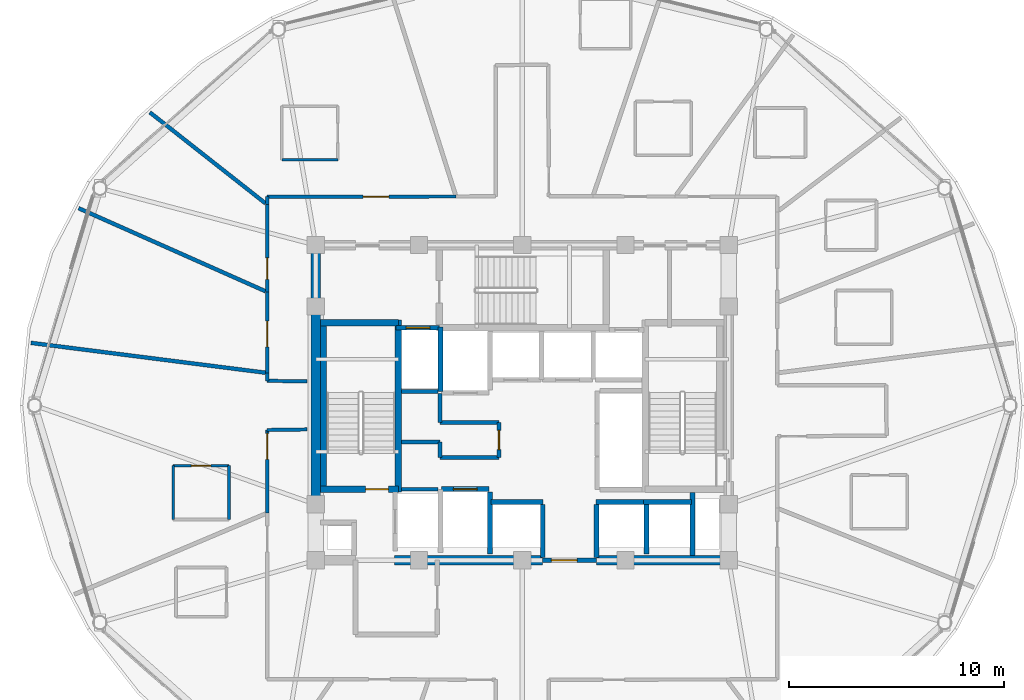
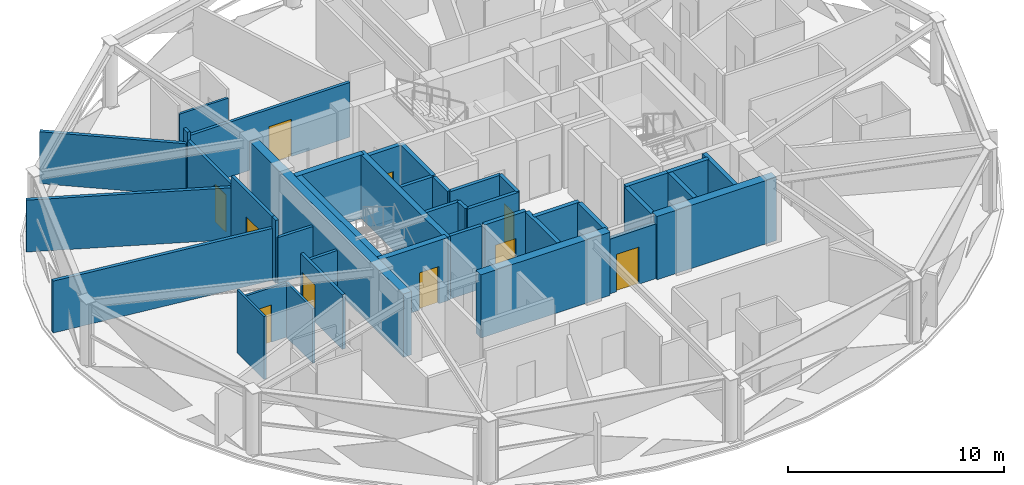
# One storey, part 23 of 30: 42 walls, 10 doors, 10 openings.
"""IFC4 building model written with IfcOpenShell, lengths in metres."""

from ifc_helpers import new_model, si_unit, direction, frame, frame_2d, origin, place, context, subcontext, project, spatial, rectangle, extrude, material, layer, layer_set, type_object, element, fill, save


model = new_model("IFC4")

# Units and contexts
model_context = context("Model", 3, precision=1e-05, world=origin(), true_north=direction((0.0, 1.0)))
body_context = subcontext(model_context, "Body", "Model", "MODEL_VIEW")
ifc_project = project(units=[si_unit("LENGTHUNIT", "METRE"), si_unit("AREAUNIT", "SQUARE_METRE"), si_unit("VOLUMEUNIT", "CUBIC_METRE"), si_unit("PLANEANGLEUNIT", "RADIAN"), si_unit("MASSUNIT", "GRAM", prefix="KILO")], contexts=[model_context])

# Site, building, storey
site_placement = place(None, origin())
site = spatial("IfcSite", under=ifc_project, at=site_placement, CompositionType="ELEMENT")
building_placement = place(site_placement, origin())
building = spatial("IfcBuilding", under=site, at=building_placement, Name="Vantalir Tower", CompositionType="ELEMENT")
storey_placement = place(building_placement, frame((0.0, 0.0, 186.14990234375)))
storey = spatial("IfcBuildingStorey", under=building, at=storey_placement, Name="L46", CompositionType="ELEMENT", Elevation=186.14990234375)

# Wall
ifc_material_1 = material(Name="Moisture-resistant en-suite partition", Category="gypsum")
ifc_layer_1 = layer(ifc_material_1, 0.125)
ifc_layer_set_1 = layer_set([ifc_layer_1], Name="Moisture-resistant en-suite partition")
wall_type_1 = type_object("IfcWallType", Name="WL-BATH-125", PredefinedType="PARTITIONING", material=ifc_layer_set_1)
wall_1_placement = place(storey_placement, frame((20.322998046875, 36.4130859375, 0.0), z_axis=(0.0, 0.0, 1.0), x_axis=(1.0, 0.0, 0.0)))
element("IfcWall", 1, at=wall_1_placement, inside=storey, type_object=wall_type_1, Name="L46 En-suite 06 South Wall", PredefinedType="PARTITIONING", context=body_context, shape_type="SweptSolid", body=[
    extrude(rectangle(XDim=2.60009765625, YDim=0.125, at=frame_2d((1.300048828125, 0.0))), origin(), (0.0, 0.0, 1.0), 3.0810546875),
])

# Wall, opening, door
wall_2_placement = place(storey_placement, frame((15.26806640625, 22.197021484375, 0.0), z_axis=(0.0, 0.0, 1.0), x_axis=(1.0, 0.0, 0.0)))
wall_2 = element("IfcWall", 2, at=wall_2_placement, inside=storey, type_object=wall_type_1, Name="L46 En-suite 09 North Wall", PredefinedType="PARTITIONING", context=body_context, shape_type="SweptSolid", body=[
    extrude(rectangle(XDim=2.599853515625, YDim=0.125, at=frame_2d((1.2998046875, 0.0))), origin(), (0.0, 0.0, 1.0), 3.0810546875),
])
opening_1_placement = place(wall_2_placement, frame((0.85009765625, 0.0, 0.0)))
opening_1 = element("IfcOpeningElement", 3, at=opening_1_placement, cuts=wall_2, Name="Opening D-WC", PredefinedType="OPENING", context=body_context, shape_type="SweptSolid", body=[
    extrude(rectangle(XDim=0.89990234375, YDim=2.10009765625, at=frame_2d((0.449951171875, 1.050048828125))), frame((0.0, 0.072509765625, 0.0), z_axis=(0.0, -1.0, 0.0), x_axis=(1.0, 0.0, 0.0)), (0.0, 0.0, 1.0), 0.14501953125),
])
ifc_material_2 = material(Name="Moisture-resistant hardwood door", Category="wood")
door_type_1 = type_object("IfcDoorType", Name="DR-ENSUITE-900", OperationType="NOTDEFINED", PredefinedType="DOOR", material=ifc_material_2)
door_1_placement = place(opening_1_placement, frame((0.89990234375, 0.0, 0.0), z_axis=(0.0, 0.0, 1.0), x_axis=(-1.0, 0.0, 0.0)))
door_1 = element("IfcDoor", 4, at=door_1_placement, inside=storey, type_object=door_type_1, Name="L46 En-suite 09 Door", OperationType="SINGLE_SWING_RIGHT", OverallHeight=2.10009765625, OverallWidth=0.89990234375, PredefinedType="DOOR", context=body_context, shape_type="SweptSolid", body=[
    extrude(rectangle(XDim=0.89990234375, YDim=2.10009765625, at=frame_2d((0.449951171875, 1.050048828125))), frame((0.0, 0.02490234375, 0.0), z_axis=(0.0, -1.0, 0.0), x_axis=(1.0, 0.0, 0.0)), (0.0, 0.0, 1.0), 0.050048828125),
])
fill(opening_1, door_1)

# Walls
wall_3_placement = place(storey_placement, frame((15.26806640625, 19.697021484375, 0.0), z_axis=(0.0, 0.0, 1.0), x_axis=(0.0, 1.0, 0.0)))
element("IfcWall", 5, at=wall_3_placement, inside=storey, type_object=wall_type_1, Name="L46 En-suite 09 West Wall", PredefinedType="PARTITIONING", context=body_context, shape_type="SweptSolid", body=[
    extrude(rectangle(XDim=2.5, YDim=0.125, at=frame_2d((1.25, 0.0))), origin(), (0.0, 0.0, 1.0), 3.550048828125),
])
wall_4_placement = place(storey_placement, frame((17.867919921875, 19.697021484375, 0.0), z_axis=(0.0, 0.0, 1.0), x_axis=(0.0, 1.0, 0.0)))
element("IfcWall", 6, at=wall_4_placement, inside=storey, type_object=wall_type_1, Name="L46 En-suite 09 East Wall", PredefinedType="PARTITIONING", context=body_context, shape_type="SweptSolid", body=[
    extrude(rectangle(XDim=2.5, YDim=0.125, at=frame_2d((1.25, 0.0))), origin(), (0.0, 0.0, 1.0), 3.0810546875),
])
ifc_material_3 = material(Name="Concrete C50/60", Category="concrete")
ifc_layer_2 = layer(ifc_material_3, 0.449951171875)
ifc_layer_set_2 = layer_set([ifc_layer_2], Name="Concrete C50/60")
wall_type_2 = type_object("IfcWallType", Name="WL-CORE-450", PredefinedType="SHEAR", material=ifc_layer_set_2)
wall_5_placement = place(storey_placement, frame((25.550048828125, 17.800048828125, 0.0), z_axis=(0.0, 0.0, 1.0), x_axis=(1.0, 0.0, 0.0)))
element("IfcWall", 7, at=wall_5_placement, inside=storey, type_object=wall_type_2, Name="L46 Core Shear Wall South-Mid", PredefinedType="SHEAR", context=body_context, shape_type="SweptSolid", body=[
    extrude(rectangle(XDim=6.89990234375, YDim=0.449951171875, at=frame_2d((3.449951171875, 0.0))), origin(), (0.0, 0.0, 1.0), 3.570068359375),
])
wall_6_placement = place(storey_placement, frame((34.949951171875, 17.800048828125, 0.0), z_axis=(0.0, 0.0, 1.0), x_axis=(1.0, 0.0, 0.0)))
element("IfcWall", 8, at=wall_6_placement, inside=storey, type_object=wall_type_2, Name="L46 Core Shear Wall South-East", PredefinedType="SHEAR", context=body_context, shape_type="SweptSolid", body=[
    extrude(rectangle(XDim=6.375, YDim=0.449951171875, at=frame_2d((3.1875, 0.0))), origin(), (0.0, 0.0, 1.0), 3.570068359375),
])
wall_7_placement = place(storey_placement, frame((21.89990234375, 18.02490234375, 0.0), z_axis=(0.0, 0.0, 1.0), x_axis=(0.0, 1.0, 0.0)))
element("IfcWall", 9, at=wall_7_placement, inside=storey, type_object=wall_type_2, Name="L46 Core Shear Wall West", PredefinedType="SHEAR", context=body_context, shape_type="SweptSolid", body=[
    extrude(rectangle(XDim=14.2001953125, YDim=0.449951171875, at=frame_2d((7.10009765625, 0.0))), origin(), (0.0, 0.0, 1.0), 3.570068359375),
])
ifc_material_4 = material(Name="Fire-rated hotel corridor acoustic partition", Category="gypsum")
ifc_layer_3 = layer(ifc_material_4, 0.159912109375)
ifc_layer_set_3 = layer_set([ifc_layer_3], Name="Fire-rated hotel corridor acoustic partition")
wall_type_3 = type_object("IfcWallType", Name="WL-CORR-160", PredefinedType="PARTITIONING", material=ifc_layer_set_3)
wall_8_placement = place(storey_placement, frame((21.4951171875, 26.116943359375, 0.0), z_axis=(0.0, 0.0, 1.0), x_axis=(-0.999908537082, 0.013524698532, 0.0)))
element("IfcWall", 10, at=wall_8_placement, inside=storey, type_object=wall_type_3, Name="L46 Corridor Partition 01", PredefinedType="PARTITIONING", context=body_context, shape_type="SweptSolid", body=[
    extrude(rectangle(XDim=1.859375, YDim=0.159912109375, at=frame_2d((0.9296875, 0.0))), origin(), (0.0, 0.0, 1.0), 2.59521484375),
])
wall_9_placement = place(storey_placement, frame((19.635986328125, 26.14208984375, 0.0), z_axis=(0.0, 0.0, 1.0), x_axis=(0.0, 1.0, 0.0)))
element("IfcWall", 11, at=wall_9_placement, inside=storey, type_object=wall_type_3, Name="L46 Corridor Partition 02", PredefinedType="PARTITIONING", context=body_context, shape_type="SweptSolid", body=[
    extrude(rectangle(XDim=0.366943359375, YDim=0.159912109375, at=frame_2d((0.18359375, 0.0))), origin(), (0.0, 0.0, 1.0), 3.550048828125),
])

# Wall, opening, door
wall_10_placement = place(storey_placement, frame((19.635986328125, 26.509033203125, 0.0), z_axis=(0.0, 0.0, 1.0), x_axis=(0.001038353649, 0.999999460911, 0.0)))
wall_10 = element("IfcWall", 12, at=wall_10_placement, inside=storey, type_object=wall_type_3, Name="L46 Corridor Partition 03", PredefinedType="PARTITIONING", context=body_context, shape_type="SweptSolid", body=[
    extrude(rectangle(XDim=3.761962890625, YDim=0.159912109375, at=frame_2d((1.880859375, 0.0))), origin(), (0.0, 0.0, 1.0), 3.550048828125),
])
opening_2_placement = place(wall_10_placement, frame((1.2060546875, 0.0, 0.0)))
opening_2 = element("IfcOpeningElement", 13, at=opening_2_placement, cuts=wall_10, Name="Opening D-STE", PredefinedType="OPENING", context=body_context, shape_type="SweptSolid", body=[
    extrude(rectangle(XDim=1.199951171875, YDim=2.10009765625, at=frame_2d((0.60009765625, 1.050048828125))), frame((0.0, 0.08984375, 0.0), z_axis=(0.0, -1.0, 0.0), x_axis=(1.0, 0.0, 0.0)), (0.0, 0.0, 1.0), 0.179931640625),
])
ifc_material_5 = material(Name="Solid-core teak veneer suite entrance door", Category="wood")
door_type_2 = type_object("IfcDoorType", Name="DR-SUITE-ENTRY-1200", OperationType="NOTDEFINED", PredefinedType="DOOR", material=ifc_material_5)
door_2_placement = place(opening_2_placement, origin())
door_2 = element("IfcDoor", 14, at=door_2_placement, inside=storey, type_object=door_type_2, Name="L46 Executive Sky Boardroom 08 Door", OperationType="SINGLE_SWING_LEFT", OverallHeight=2.10009765625, OverallWidth=1.199951171875, PredefinedType="DOOR", context=body_context, shape_type="SweptSolid", body=[
    extrude(rectangle(XDim=1.199951171875, YDim=2.10009765625, at=frame_2d((0.60009765625, 1.050048828125))), frame((0.0, 0.02490234375, 0.0), z_axis=(0.0, -1.0, 0.0), x_axis=(1.0, 0.0, 0.0)), (0.0, 0.0, 1.0), 0.050048828125),
])
fill(opening_2, door_2)

wall_11_placement = place(storey_placement, frame((19.639892578125, 30.27099609375, 0.0), z_axis=(0.0, 0.0, 1.0), x_axis=(0.001022740411, 0.999999477001, 0.0)))
wall_11 = element("IfcWall", 15, at=wall_11_placement, inside=storey, type_object=wall_type_3, Name="L46 Corridor Partition 04", PredefinedType="PARTITIONING", context=body_context, shape_type="SweptSolid", body=[
    extrude(rectangle(XDim=4.05810546875, YDim=0.159912109375, at=frame_2d((2.029052734375, 0.0))), origin(), (0.0, 0.0, 1.0), 3.0810546875),
])
opening_3_placement = place(wall_11_placement, frame((0.592041015625, 0.0, 0.0)))
opening_3 = element("IfcOpeningElement", 16, at=opening_3_placement, cuts=wall_11, Name="Opening D-GUEST", PredefinedType="OPENING", context=body_context, shape_type="SweptSolid", body=[
    extrude(rectangle(XDim=1.0, YDim=2.10009765625, at=frame_2d((0.5, 1.050048828125))), frame((0.0, 0.08984375, 0.0), z_axis=(0.0, -1.0, 0.0), x_axis=(1.0, 0.0, 0.0)), (0.0, 0.0, 1.0), 0.179931640625),
])
ifc_material_6 = material(Name="Solid-core teak veneer acoustic fire door", Category="wood")
door_type_3 = type_object("IfcDoorType", Name="DR-GUEST-ENTRY-1000", OperationType="NOTDEFINED", PredefinedType="DOOR", material=ifc_material_6)
door_3_placement = place(opening_3_placement, origin())
door_3 = element("IfcDoor", 17, at=door_3_placement, inside=storey, type_object=door_type_3, Name="L46 Executive Business Study 07 Door", OperationType="SINGLE_SWING_RIGHT", OverallHeight=2.10009765625, OverallWidth=1.0, PredefinedType="DOOR", context=body_context, shape_type="SweptSolid", body=[
    extrude(rectangle(XDim=1.0, YDim=2.10009765625, at=frame_2d((0.5, 1.050048828125))), frame((0.0, 0.02490234375, 0.0), z_axis=(0.0, -1.0, 0.0), x_axis=(1.0, 0.0, 0.0)), (0.0, 0.0, 1.0), 0.050048828125),
])
fill(opening_3, door_3)

# Wall
wall_12_placement = place(storey_placement, frame((19.64404296875, 34.3291015625, 0.0), z_axis=(0.0, 0.0, 1.0), x_axis=(0.0, 1.0, 0.0)))
element("IfcWall", 18, at=wall_12_placement, inside=storey, type_object=wall_type_3, Name="L46 Corridor Partition 05", PredefinedType="PARTITIONING", context=body_context, shape_type="SweptSolid", body=[
    extrude(rectangle(XDim=0.370849609375, YDim=0.159912109375, at=frame_2d((0.185546875, 0.0))), origin(), (0.0, 0.0, 1.0), 3.550048828125),
])

# Wall, opening, door
wall_13_placement = place(storey_placement, frame((19.64404296875, 34.699951171875, 0.0), z_axis=(0.0, 0.0, 1.0), x_axis=(0.999999071576, 0.001362661768, 0.0)))
wall_13 = element("IfcWall", 19, at=wall_13_placement, inside=storey, type_object=wall_type_3, Name="L46 Corridor Partition 06", PredefinedType="PARTITIONING", context=body_context, shape_type="SweptSolid", body=[
    extrude(rectangle(XDim=8.779052734375, YDim=0.159912109375, at=frame_2d((4.3896484375, 0.0))), origin(), (0.0, 0.0, 1.0), 3.0810546875),
])
opening_4_placement = place(wall_13_placement, frame((4.4560546875, 0.0, 0.0)))
opening_4 = element("IfcOpeningElement", 20, at=opening_4_placement, cuts=wall_13, Name="Opening D-STE", PredefinedType="OPENING", context=body_context, shape_type="SweptSolid", body=[
    extrude(rectangle(XDim=1.199951171875, YDim=2.10009765625, at=frame_2d((0.60009765625, 1.050048828125))), frame((0.0, 0.08984375, 0.0), z_axis=(0.0, -1.0, 0.0), x_axis=(1.0, 0.0, 0.0)), (0.0, 0.0, 1.0), 0.179931640625),
])
door_4_placement = place(opening_4_placement, origin())
door_4 = element("IfcDoor", 21, at=door_4_placement, inside=storey, type_object=door_type_2, Name="L46 Executive Club Hotel Suite 06 Door", OperationType="SINGLE_SWING_LEFT", OverallHeight=2.10009765625, OverallWidth=1.199951171875, PredefinedType="DOOR", context=body_context, shape_type="SweptSolid", body=[
    extrude(rectangle(XDim=1.199951171875, YDim=2.10009765625, at=frame_2d((0.60009765625, 1.050048828125))), frame((0.0, 0.02490234375, 0.0), z_axis=(0.0, -1.0, 0.0), x_axis=(1.0, 0.0, 0.0)), (0.0, 0.0, 1.0), 0.050048828125),
])
fill(opening_4, door_4)

wall_14_placement = place(storey_placement, frame((19.636962890625, 19.992919921875, 0.0), z_axis=(0.0, 0.0, 1.0), x_axis=(-0.000505848813, 0.999999872058, 0.0)))
wall_14 = element("IfcWall", 22, at=wall_14_placement, inside=storey, type_object=wall_type_3, Name="L46 Corridor Partition 33", PredefinedType="PARTITIONING", context=body_context, shape_type="SweptSolid", body=[
    extrude(rectangle(XDim=3.861083984375, YDim=0.159912109375, at=frame_2d((1.9306640625, 0.0))), origin(), (0.0, 0.0, 1.0), 3.0810546875),
])
opening_5_placement = place(wall_14_placement, frame((2.5009765625, 0.0, 0.0)))
opening_5 = element("IfcOpeningElement", 23, at=opening_5_placement, cuts=wall_14, Name="Opening D-STE", PredefinedType="OPENING", context=body_context, shape_type="SweptSolid", body=[
    extrude(rectangle(XDim=1.199951171875, YDim=2.10009765625, at=frame_2d((0.60009765625, 1.050048828125))), frame((0.0, 0.08984375, 0.0), z_axis=(0.0, -1.0, 0.0), x_axis=(1.0, 0.0, 0.0)), (0.0, 0.0, 1.0), 0.179931640625),
])
door_5_placement = place(opening_5_placement, origin())
door_5 = element("IfcDoor", 24, at=door_5_placement, inside=storey, type_object=door_type_2, Name="L46 Executive Club Hotel Suite 09 Door", OperationType="SINGLE_SWING_RIGHT", OverallHeight=2.10009765625, OverallWidth=1.199951171875, PredefinedType="DOOR", context=body_context, shape_type="SweptSolid", body=[
    extrude(rectangle(XDim=1.199951171875, YDim=2.10009765625, at=frame_2d((0.60009765625, 1.050048828125))), frame((0.0, 0.02490234375, 0.0), z_axis=(0.0, -1.0, 0.0), x_axis=(1.0, 0.0, 0.0)), (0.0, 0.0, 1.0), 0.050048828125),
])
fill(opening_5, door_5)

# Walls
wall_15_placement = place(storey_placement, frame((19.635009765625, 23.85400390625, 0.0), z_axis=(0.0, 0.0, 1.0), x_axis=(0.999886107392, 0.015092125259, 0.0)))
element("IfcWall", 25, at=wall_15_placement, inside=storey, type_object=wall_type_3, Name="L46 Corridor Partition 34", PredefinedType="PARTITIONING", context=body_context, shape_type="SweptSolid", body=[
    extrude(rectangle(XDim=1.8603515625, YDim=0.159912109375, at=frame_2d((0.93017578125, 0.0))), origin(), (0.0, 0.0, 1.0), 2.59521484375),
])
ifc_material_7 = material(Name="Concrete blockwork with fireboard lining", Category="masonry")
ifc_layer_4 = layer(ifc_material_7, 0.219970703125)
ifc_layer_set_4 = layer_set([ifc_layer_4], Name="Concrete blockwork with fireboard lining")
wall_type_4 = type_object("IfcWallType", Name="WL-FFL-220", PredefinedType="PARTITIONING", material=ifc_layer_set_4)
wall_16_placement = place(storey_placement, frame((30.0, 18.080078125, 0.0), z_axis=(0.0, 0.0, 1.0), x_axis=(0.0, 1.0, 0.0)))
element("IfcWall", 26, at=wall_16_placement, inside=storey, type_object=wall_type_4, Name="L46 Service Lift SV1 East Shaft Wall", PredefinedType="PARTITIONING", context=body_context, shape_type="SweptSolid", body=[
    extrude(rectangle(XDim=2.89990234375, YDim=0.219970703125, at=frame_2d((1.449951171875, 0.0))), origin(), (0.0, 0.0, 1.0), 3.545166015625),
])
for number, where, z_axis, x_axis, name in (
    (27, (32.449951171875, 17.919921875, 0.0), (0.0, 0.0, 1.0), (0.0, 1.0, 0.0), "L46 Shuttle Lift PL-X1 East Shaft Cheek"),
    (28, (34.949951171875, 17.919921875, 0.0), (0.0, 0.0, 1.0), (0.0, 1.0, 0.0), "L46 Shuttle Lift PL-X3 West Shaft Cheek"),
):
    element("IfcWall", number, at=place(storey_placement, frame(where, z_axis=z_axis, x_axis=x_axis)), inside=storey, type_object=wall_type_4, Name=name, PredefinedType="PARTITIONING", context=body_context, shape_type="SweptSolid", body=[
        extrude(rectangle(XDim=2.469970703125, YDim=0.219970703125, at=frame_2d((1.23486328125, 0.0))), origin(), (0.0, 0.0, 1.0), 3.545166015625),
    ])
wall_17_placement = place(storey_placement, frame((37.27490234375, 18.080078125, 0.0), z_axis=(0.0, 0.0, 1.0), x_axis=(0.0, 1.0, 0.0)))
element("IfcWall", 29, at=wall_17_placement, inside=storey, type_object=wall_type_4, Name="L46 Shuttle Lift PL-X2/X3 Shaft Divider", PredefinedType="PARTITIONING", context=body_context, shape_type="SweptSolid", body=[
    extrude(rectangle(XDim=2.309814453125, YDim=0.219970703125, at=frame_2d((1.15478515625, 0.0))), origin(), (0.0, 0.0, 1.0), 3.545166015625),
])

# Wall, opening, door
wall_18_placement = place(storey_placement, frame((32.449951171875, 17.800048828125, 0.0), z_axis=(0.0, 0.0, 1.0), x_axis=(1.0, 0.0, 0.0)))
wall_18 = element("IfcWall", 30, at=wall_18_placement, inside=storey, type_object=wall_type_4, Name="L46 Passenger Lift Lobby South Wall", PredefinedType="PARTITIONING", context=body_context, shape_type="SweptSolid", body=[
    extrude(rectangle(XDim=2.5, YDim=0.219970703125, at=frame_2d((1.25, 0.0))), origin(), (0.0, 0.0, 1.0), 3.0810546875),
])
opening_6_placement = place(wall_18_placement, frame((0.39990234375, 0.0, 0.0)))
opening_6 = element("IfcOpeningElement", 31, at=opening_6_placement, cuts=wall_18, Name="Opening D-STE", PredefinedType="OPENING", context=body_context, shape_type="SweptSolid", body=[
    extrude(rectangle(XDim=1.199951171875, YDim=2.10009765625, at=frame_2d((0.60009765625, 1.050048828125))), frame((0.0, 0.119873046875, 0.0), z_axis=(0.0, -1.0, 0.0), x_axis=(1.0, 0.0, 0.0)), (0.0, 0.0, 1.0), 0.239990234375),
])
door_6_placement = place(opening_6_placement, origin())
door_6 = element("IfcDoor", 32, at=door_6_placement, inside=storey, type_object=door_type_2, Name="L46 Passenger Lift Lobby Concourse Door", OperationType="SINGLE_SWING_LEFT", OverallHeight=2.10009765625, OverallWidth=1.199951171875, PredefinedType="DOOR", context=body_context, shape_type="SweptSolid", body=[
    extrude(rectangle(XDim=1.199951171875, YDim=2.10009765625, at=frame_2d((0.60009765625, 1.050048828125))), frame((0.0, 0.02490234375, 0.0), z_axis=(0.0, -1.0, 0.0), x_axis=(1.0, 0.0, 0.0)), (0.0, 0.0, 1.0), 0.050048828125),
])
fill(opening_6, door_6)

# Wall
wall_19_placement = place(storey_placement, frame((39.419921875, 18.02490234375, 0.0), z_axis=(0.0, 0.0, 1.0), x_axis=(0.0, 1.0, 0.0)))
element("IfcWall", 33, at=wall_19_placement, inside=storey, type_object=wall_type_4, Name="L46 East MEP Riser Wall W", PredefinedType="PARTITIONING", context=body_context, shape_type="SweptSolid", body=[
    extrude(rectangle(XDim=2.925048828125, YDim=0.219970703125, at=frame_2d((1.46240234375, 0.0))), origin(), (0.0, 0.0, 1.0), 3.550048828125),
])

# Wall, opening, door
wall_20_placement = place(storey_placement, frame((25.639892578125, 28.610107421875, 0.0), z_axis=(0.0, 0.0, 1.0), x_axis=(1.0, 0.0, 0.0)))
wall_20 = element("IfcWall", 34, at=wall_20_placement, inside=storey, type_object=wall_type_4, Name="L46 Lift FL2 Shaft Front Wall", PredefinedType="PARTITIONING", context=body_context, shape_type="SweptSolid", body=[
    extrude(rectangle(XDim=2.02001953125, YDim=0.219970703125, at=frame_2d((1.010009765625, 0.0))), origin(), (0.0, 0.0, 1.0), 3.550048828125),
])
opening_7_placement = place(wall_20_placement, frame((0.4599609375, 0.0, 0.0)))
opening_7 = element("IfcOpeningElement", 35, at=opening_7_placement, cuts=wall_20, Name="Opening LD-FL2", PredefinedType="OPENING", context=body_context, shape_type="SweptSolid", body=[
    extrude(rectangle(XDim=1.10009765625, YDim=2.199951171875, at=frame_2d((0.550048828125, 1.10009765625))), frame((0.0, 0.119873046875, 0.0), z_axis=(0.0, -1.0, 0.0), x_axis=(1.0, 0.0, 0.0)), (0.0, 0.0, 1.0), 0.239990234375),
])
ifc_material_8 = material(Name="Brushed stainless-steel sliding lift landing door", Category="steel")
door_type_4 = type_object("IfcDoorType", Name="DR-LIFT-LANDING-1100", OperationType="DOUBLE_DOOR_SLIDING", PredefinedType="DOOR", material=ifc_material_8)
door_7_placement = place(opening_7_placement, origin())
door_7 = element("IfcDoor", 36, at=door_7_placement, inside=storey, type_object=door_type_4, Name="L46 Lift Landing Door FL2", OperationType="DOUBLE_DOOR_SLIDING", OverallHeight=2.199951171875, OverallWidth=1.10009765625, PredefinedType="DOOR", context=body_context, shape_type="SweptSolid", body=[
    extrude(rectangle(XDim=1.10009765625, YDim=2.199951171875, at=frame_2d((0.550048828125, 1.10009765625))), frame((0.0, 0.02490234375, 0.0), z_axis=(0.0, -1.0, 0.0), x_axis=(1.0, 0.0, 0.0)), (0.0, 0.0, 1.0), 0.050048828125),
])
fill(opening_7, door_7)

wall_21_placement = place(storey_placement, frame((27.739990234375, 21.110107421875, 0.0), z_axis=(0.0, 0.0, 1.0), x_axis=(1.0, 0.0, 0.0)))
wall_21 = element("IfcWall", 37, at=wall_21_placement, inside=storey, type_object=wall_type_4, Name="L46 Lift SV1 Shaft Front Wall", PredefinedType="PARTITIONING", context=body_context, shape_type="SweptSolid", body=[
    extrude(rectangle(XDim=2.219970703125, YDim=0.219970703125, at=frame_2d((1.10986328125, 0.0))), origin(), (0.0, 0.0, 1.0), 3.550048828125),
])
opening_8_placement = place(wall_21_placement, frame((0.56005859375, 0.0, 0.0)))
opening_8 = element("IfcOpeningElement", 38, at=opening_8_placement, cuts=wall_21, Name="Opening LD-SV1", PredefinedType="OPENING", context=body_context, shape_type="SweptSolid", body=[
    extrude(rectangle(XDim=1.10009765625, YDim=2.199951171875, at=frame_2d((0.550048828125, 1.10009765625))), frame((0.0, 0.119873046875, 0.0), z_axis=(0.0, -1.0, 0.0), x_axis=(1.0, 0.0, 0.0)), (0.0, 0.0, 1.0), 0.239990234375),
])
door_8_placement = place(opening_8_placement, origin())
door_8 = element("IfcDoor", 39, at=door_8_placement, inside=storey, type_object=door_type_4, Name="L46 Lift Landing Door SV1", OperationType="DOUBLE_DOOR_SLIDING", OverallHeight=2.199951171875, OverallWidth=1.10009765625, PredefinedType="DOOR", context=body_context, shape_type="SweptSolid", body=[
    extrude(rectangle(XDim=1.10009765625, YDim=2.199951171875, at=frame_2d((0.550048828125, 1.10009765625))), frame((0.0, 0.02490234375, 0.0), z_axis=(0.0, -1.0, 0.0), x_axis=(1.0, 0.0, 0.0)), (0.0, 0.0, 1.0), 0.050048828125),
])
fill(opening_8, door_8)

# Walls
wall_22_placement = place(storey_placement, frame((30.0400390625, 20.510009765625, 0.0), z_axis=(0.0, 0.0, 1.0), x_axis=(1.0, 0.0, 0.0)))
element("IfcWall", 40, at=wall_22_placement, inside=storey, type_object=wall_type_4, Name="L46 Lift PL-X1 Shaft Front Wall", PredefinedType="PARTITIONING", context=body_context, shape_type="SweptSolid", body=[
    extrude(rectangle(XDim=2.419921875, YDim=0.219970703125, at=frame_2d((1.2099609375, 0.0))), origin(), (0.0, 0.0, 1.0), 3.550048828125),
])
for number, where, z_axis, x_axis, name in (
    (41, (37.139892578125, 20.510009765625, 0.0), (0.0, 0.0, 1.0), (1.0, 0.0, 0.0), "L46 Lift PL-X2 Shaft Rear Wall"),
    (42, (34.93994140625, 20.510009765625, 0.0), (0.0, 0.0, 1.0), (1.0, 0.0, 0.0), "L46 Lift PL-X3 Shaft Front Wall"),
):
    element("IfcWall", number, at=place(storey_placement, frame(where, z_axis=z_axis, x_axis=x_axis)), inside=storey, type_object=wall_type_4, Name=name, PredefinedType="PARTITIONING", context=body_context, shape_type="SweptSolid", body=[
        extrude(rectangle(XDim=2.239990234375, YDim=0.219970703125, at=frame_2d((1.1201171875, 0.0))), origin(), (0.0, 0.0, 1.0), 3.550048828125),
    ])
wall_23_placement = place(storey_placement, frame((27.699951171875, 25.64990234375, 0.0), z_axis=(0.0, 0.0, 1.0), x_axis=(0.0, 1.0, 0.0)))
element("IfcWall", 43, at=wall_23_placement, inside=storey, type_object=wall_type_4, Name="L46 Fire Lift FL2 Dividing Wall", PredefinedType="PARTITIONING", context=body_context, shape_type="SweptSolid", body=[
    extrude(rectangle(XDim=3.0, YDim=0.219970703125, at=frame_2d((1.5, 0.0))), origin(), (0.0, 0.0, 1.0), 3.550048828125),
])
ifc_material_9 = material(Name="Twin-stud acoustic fire-rated gypsum partition", Category="gypsum")
ifc_layer_5 = layer(ifc_material_9, 0.179931640625)
ifc_layer_set_5 = layer_set([ifc_layer_5], Name="Twin-stud acoustic fire-rated gypsum partition")
wall_type_5 = type_object("IfcWallType", Name="WL-GUEST-180", PredefinedType="PARTITIONING", material=ifc_layer_set_5)
for number, where, z_axis, x_axis, name in (
    (44, (25.889892578125, 21.10009765625, 0.0), (0.0, 0.0, 1.0), (1.0, 0.0, 0.0), "L46 Freed West Core South Wall"),
    (45, (25.889892578125, 25.64990234375, 0.0), (0.0, 0.0, 1.0), (1.0, 0.0, 0.0), "L46 Freed West Core North Wall"),
):
    element("IfcWall", number, at=place(storey_placement, frame(where, z_axis=z_axis, x_axis=x_axis)), inside=storey, type_object=wall_type_5, Name=name, PredefinedType="PARTITIONING", context=body_context, shape_type="SweptSolid", body=[
        extrude(rectangle(XDim=1.7001953125, YDim=0.179931640625, at=frame_2d((0.85009765625, 0.0))), origin(), (0.0, 0.0, 1.0), 3.550048828125),
    ])
wall_24_placement = place(storey_placement, frame((25.889892578125, 23.300048828125, 0.0), z_axis=(0.0, 0.0, 1.0), x_axis=(1.0, 0.0, 0.0)))
element("IfcWall", 46, at=wall_24_placement, inside=storey, type_object=wall_type_5, Name="L46 West Linen South-West Wall", PredefinedType="PARTITIONING", context=body_context, shape_type="SweptSolid", body=[
    extrude(rectangle(XDim=1.7900390625, YDim=0.179931640625, at=frame_2d((0.89501953125, 0.0))), origin(), (0.0, 0.0, 1.0), 3.550048828125),
])
wall_25_placement = place(storey_placement, frame((27.679931640625, 22.580078125, 0.0), z_axis=(0.0, 0.0, 1.0), x_axis=(0.0, 1.0, 0.0)))
element("IfcWall", 47, at=wall_25_placement, inside=storey, type_object=wall_type_5, Name="L46 West Linen Step Wall", PredefinedType="PARTITIONING", context=body_context, shape_type="SweptSolid", body=[
    extrude(rectangle(XDim=0.719970703125, YDim=0.179931640625, at=frame_2d((0.35986328125, 0.0))), origin(), (0.0, 0.0, 1.0), 3.550048828125),
])
wall_26_placement = place(storey_placement, frame((27.679931640625, 22.580078125, 0.0), z_axis=(0.0, 0.0, 1.0), x_axis=(1.0, 0.0, 0.0)))
element("IfcWall", 48, at=wall_26_placement, inside=storey, type_object=wall_type_5, Name="L46 West Linen Alcove South Wall", PredefinedType="PARTITIONING", context=body_context, shape_type="SweptSolid", body=[
    extrude(rectangle(XDim=2.739990234375, YDim=0.179931640625, at=frame_2d((1.3701171875, 0.0))), origin(), (0.0, 0.0, 1.0), 3.550048828125),
])

# Wall, opening, door
wall_27_placement = place(storey_placement, frame((30.419921875, 22.580078125, 0.0), z_axis=(0.0, 0.0, 1.0), x_axis=(0.0, 1.0, 0.0)))
wall_27 = element("IfcWall", 49, at=wall_27_placement, inside=storey, type_object=wall_type_5, Name="L46 West Linen Alcove East Wall", PredefinedType="PARTITIONING", context=body_context, shape_type="SweptSolid", body=[
    extrude(rectangle(XDim=1.619873046875, YDim=0.179931640625, at=frame_2d((0.81005859375, 0.0))), origin(), (0.0, 0.0, 1.0), 3.550048828125),
])
opening_9_placement = place(wall_27_placement, frame((0.360107421875, 0.0, 0.0)))
opening_9 = element("IfcOpeningElement", 50, at=opening_9_placement, cuts=wall_27, Name="Opening D-CR", PredefinedType="OPENING", context=body_context, shape_type="SweptSolid", body=[
    extrude(rectangle(XDim=0.89990234375, YDim=2.10009765625, at=frame_2d((0.449951171875, 1.050048828125))), frame((0.0, 0.099853515625, 0.0), z_axis=(0.0, -1.0, 0.0), x_axis=(1.0, 0.0, 0.0)), (0.0, 0.0, 1.0), 0.199951171875),
])
ifc_material_10 = material(Name="Fire-rated steel core service door", Category="steel")
door_type_5 = type_object("IfcDoorType", Name="DR-CORE-SERV-900", OperationType="NOTDEFINED", PredefinedType="DOOR", material=ifc_material_10)
door_9_placement = place(opening_9_placement, origin())
door_9 = element("IfcDoor", 51, at=door_9_placement, inside=storey, type_object=door_type_5, Name="L46 Core Linen Store Door", OperationType="SINGLE_SWING_LEFT", OverallHeight=2.10009765625, OverallWidth=0.89990234375, PredefinedType="DOOR", context=body_context, shape_type="SweptSolid", body=[
    extrude(rectangle(XDim=0.89990234375, YDim=2.10009765625, at=frame_2d((0.449951171875, 1.050048828125))), frame((0.0, 0.02490234375, 0.0), z_axis=(0.0, -1.0, 0.0), x_axis=(1.0, 0.0, 0.0)), (0.0, 0.0, 1.0), 0.050048828125),
])
fill(opening_9, door_9)

# Walls
wall_28_placement = place(storey_placement, frame((27.679931640625, 24.199951171875, 0.0), z_axis=(0.0, 0.0, 1.0), x_axis=(1.0, 0.0, 0.0)))
element("IfcWall", 52, at=wall_28_placement, inside=storey, type_object=wall_type_5, Name="L46 West Linen Alcove North Wall", PredefinedType="PARTITIONING", context=body_context, shape_type="SweptSolid", body=[
    extrude(rectangle(XDim=2.739990234375, YDim=0.179931640625, at=frame_2d((1.3701171875, 0.0))), origin(), (0.0, 0.0, 1.0), 3.550048828125),
])
wall_29_placement = place(storey_placement, frame((27.679931640625, 24.199951171875, 0.0), z_axis=(0.0, 0.0, 1.0), x_axis=(0.0, 1.0, 0.0)))
element("IfcWall", 53, at=wall_29_placement, inside=storey, type_object=wall_type_5, Name="L46 West Linen Upper East Wall", PredefinedType="PARTITIONING", context=body_context, shape_type="SweptSolid", body=[
    extrude(rectangle(XDim=1.360107421875, YDim=0.179931640625, at=frame_2d((0.68017578125, 0.0))), origin(), (0.0, 0.0, 1.0), 3.550048828125),
])
wall_30_placement = place(storey_placement, frame((19.56005859375, 34.39501953125, 0.0), z_axis=(0.0, 0.0, 1.0), x_axis=(-0.785921713445, 0.618326014603, 0.0)))
element("IfcWall", 54, at=wall_30_placement, inside=storey, type_object=wall_type_5, Name="L46 Radial Suite Partition 07", PredefinedType="PARTITIONING", context=body_context, shape_type="SweptSolid", body=[
    extrude(rectangle(XDim=6.837890625, YDim=0.179931640625, at=frame_2d((3.4189453125, 0.0))), origin(), (0.0, 0.0, 1.0), 2.925048828125),
])
wall_31_placement = place(storey_placement, frame((19.56005859375, 30.305908203125, 0.0), z_axis=(0.0, 0.0, 1.0), x_axis=(-0.913838017628, 0.406078905557, 0.0)))
element("IfcWall", 55, at=wall_31_placement, inside=storey, type_object=wall_type_5, Name="L46 Radial Suite Partition 08", PredefinedType="PARTITIONING", context=body_context, shape_type="SweptSolid", body=[
    extrude(rectangle(XDim=9.50830078125, YDim=0.179931640625, at=frame_2d((4.754150390625, 0.0))), origin(), (0.0, 0.0, 1.0), 2.925048828125),
])
wall_32_placement = place(storey_placement, frame((19.56005859375, 26.51904296875, 0.0), z_axis=(0.0, 0.0, 1.0), x_axis=(-0.99200307121, 0.12621373424, 0.0)))
element("IfcWall", 56, at=wall_32_placement, inside=storey, type_object=wall_type_5, Name="L46 Radial Suite Partition 09", PredefinedType="PARTITIONING", context=body_context, shape_type="SweptSolid", body=[
    extrude(rectangle(XDim=10.989013671875, YDim=0.179931640625, at=frame_2d((5.49462890625, 0.0))), origin(), (0.0, 0.0, 1.0), 2.925048828125),
])

# Wall, opening, door
ifc_layer_6 = layer(ifc_material_3, 0.300048828125)
ifc_layer_set_6 = layer_set([ifc_layer_6], Name="Concrete C50/60")
wall_type_6 = type_object("IfcWallType", Name="WL-STAIR-300", PredefinedType="SHEAR", material=ifc_layer_set_6)
wall_33_placement = place(storey_placement, frame((22.125, 21.10009765625, 0.0), z_axis=(0.0, 0.0, 1.0), x_axis=(1.0, 0.0, 0.0)))
wall_33 = element("IfcWall", 57, at=wall_33_placement, inside=storey, type_object=wall_type_6, Name="L46 Stair ST1 South Wall", PredefinedType="SHEAR", context=body_context, shape_type="SweptSolid", body=[
    extrude(rectangle(XDim=3.614990234375, YDim=0.300048828125, at=frame_2d((1.8076171875, 0.0))), origin(), (0.0, 0.0, 1.0), 3.570068359375),
])
opening_10_placement = place(wall_33_placement, frame((2.094970703125, 0.0, 0.0)))
opening_10 = element("IfcOpeningElement", 58, at=opening_10_placement, cuts=wall_33, Name="Opening D-ST", PredefinedType="OPENING", context=body_context, shape_type="SweptSolid", body=[
    extrude(rectangle(XDim=1.050048828125, YDim=2.10009765625, at=frame_2d((0.52490234375, 1.050048828125))), frame((0.0, 0.159912109375, 0.0), z_axis=(0.0, -1.0, 0.0), x_axis=(1.0, 0.0, 0.0)), (0.0, 0.0, 1.0), 0.320068359375),
])
ifc_material_11 = material(Name="Fire-rated steel door leaf", Category="steel")
door_type_6 = type_object("IfcDoorType", Name="DR-FIRE-STAIR-1050", OperationType="NOTDEFINED", PredefinedType="DOOR", material=ifc_material_11)
door_10_placement = place(opening_10_placement, origin())
door_10 = element("IfcDoor", 59, at=door_10_placement, inside=storey, type_object=door_type_6, Name="L46 Exit Stair ST1 Fire Door", OperationType="SINGLE_SWING_LEFT", OverallHeight=2.10009765625, OverallWidth=1.050048828125, PredefinedType="DOOR", context=body_context, shape_type="SweptSolid", body=[
    extrude(rectangle(XDim=1.050048828125, YDim=2.10009765625, at=frame_2d((0.52490234375, 1.050048828125))), frame((0.0, 0.02490234375, 0.0), z_axis=(0.0, -1.0, 0.0), x_axis=(1.0, 0.0, 0.0)), (0.0, 0.0, 1.0), 0.050048828125),
])
fill(opening_10, door_10)

# Walls
wall_34_placement = place(storey_placement, frame((22.125, 28.85009765625, 0.0), z_axis=(0.0, 0.0, 1.0), x_axis=(1.0, 0.0, 0.0)))
element("IfcWall", 60, at=wall_34_placement, inside=storey, type_object=wall_type_6, Name="L46 Stair ST1 North Wall", PredefinedType="SHEAR", context=body_context, shape_type="SweptSolid", body=[
    extrude(rectangle(XDim=3.614990234375, YDim=0.300048828125, at=frame_2d((1.8076171875, 0.0))), origin(), (0.0, 0.0, 1.0), 3.570068359375),
])
wall_35_placement = place(storey_placement, frame((25.739990234375, 20.97998046875, 0.0), z_axis=(0.0, 0.0, 1.0), x_axis=(0.0, 1.0, 0.0)))
element("IfcWall", 61, at=wall_35_placement, inside=storey, type_object=wall_type_6, Name="L46 Stair ST1 East Wall", PredefinedType="SHEAR", context=body_context, shape_type="SweptSolid", body=[
    extrude(rectangle(XDim=7.989990234375, YDim=0.300048828125, at=frame_2d((3.9951171875, 0.0))), origin(), (0.0, 0.0, 1.0), 3.570068359375),
])
wall_36_placement = place(storey_placement, frame((22.260009765625, 21.10009765625, 0.0), z_axis=(0.0, 0.0, 1.0), x_axis=(0.0, 1.0, 0.0)))
element("IfcWall", 62, at=wall_36_placement, inside=storey, type_object=wall_type_6, Name="L46 Stair ST1 West Liner Wall", PredefinedType="SHEAR", context=body_context, shape_type="SweptSolid", body=[
    extrude(rectangle(XDim=7.75, YDim=0.300048828125, at=frame_2d((3.875, 0.0))), origin(), (0.0, 0.0, 1.0), 3.570068359375),
])

save(model, "model.ifc")
